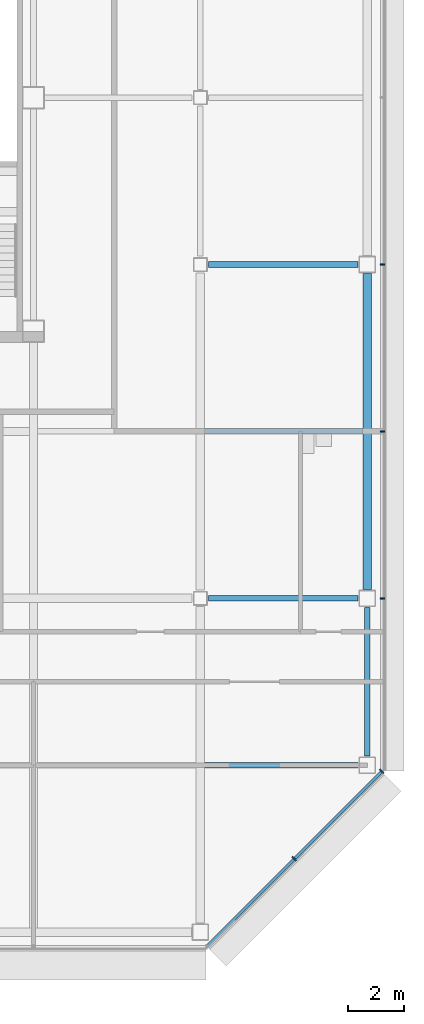
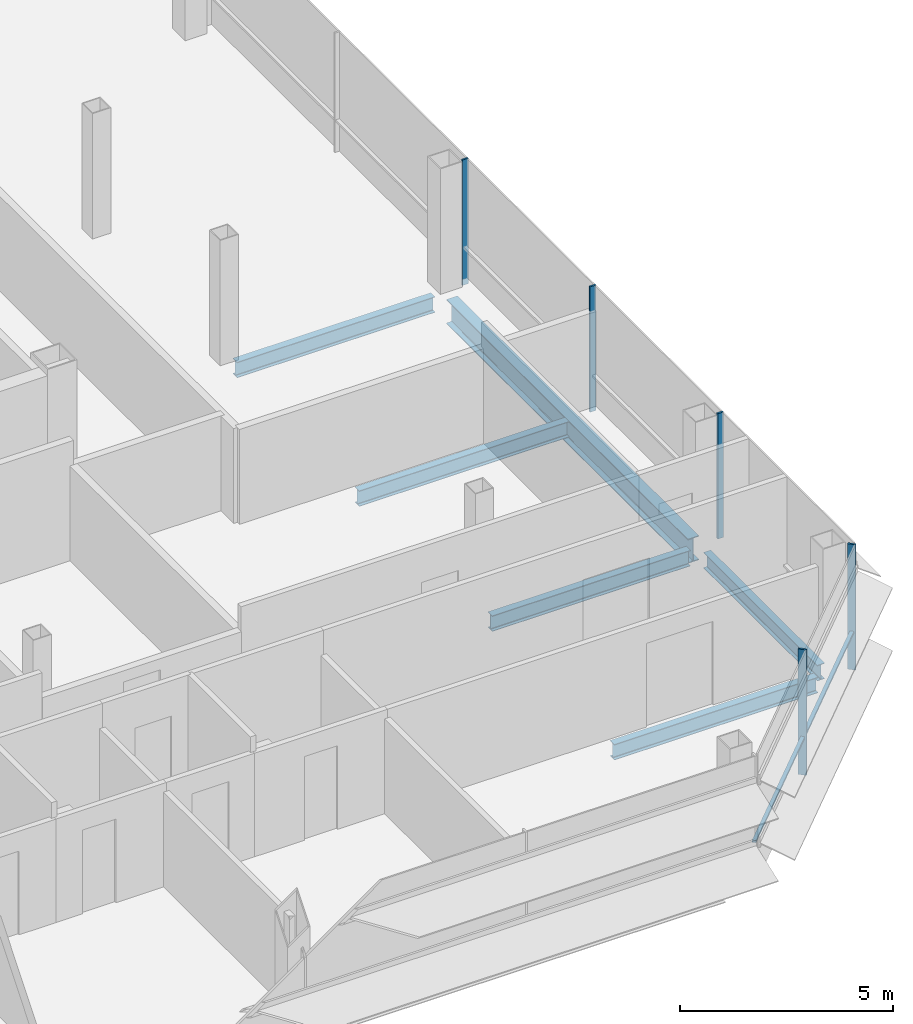
# One storey, part 17 of 27: 6 beams, 6 members, 2 elements without a shape of their own.
"""IFC4 building model written with IfcOpenShell, lengths in metres."""

from ifc_helpers import new_model, si_unit, direction, frame, origin, origin_2d, place, context, subcontext, project, spatial, rectangle, i_section, extrude, material, material_profile, profile_set, type_object, element, aggregate, save


model = new_model("IFC4")

# Units and contexts
model_context = context("Model", 3, precision=1e-05, world=origin(), true_north=direction((0.0, 1.0)))
body_context = subcontext(model_context, "Body", "Model", "MODEL_VIEW")
ifc_project = project(units=[si_unit("LENGTHUNIT", "METRE"), si_unit("AREAUNIT", "SQUARE_METRE"), si_unit("VOLUMEUNIT", "CUBIC_METRE"), si_unit("PLANEANGLEUNIT", "RADIAN"), si_unit("MASSUNIT", "GRAM", prefix="KILO")], contexts=[model_context])

# Site, building, storey
site_placement = place(None, origin())
site = spatial("IfcSite", under=ifc_project, at=site_placement, CompositionType="ELEMENT")
building_placement = place(site_placement, origin())
building = spatial("IfcBuilding", under=site, at=building_placement, Name="Sorahane Residences", CompositionType="ELEMENT")
storey_placement = place(building_placement, frame((0.0, 0.0, 246.800048828125)))
storey = spatial("IfcBuildingStorey", under=building, at=storey_placement, Name="L58", CompositionType="ELEMENT", Elevation=246.800048828125)

# Curtain wall, members
ifc_material_1 = material(Name="Dark low-e glass and black anodised aluminium", Category="aluminium")
curtain_wall_type_1 = type_object("IfcCurtainWallType", Name="Curtain wall CW-1 Typical unitised wall", PredefinedType="NOTDEFINED", material=ifc_material_1)
curtain_wall_1_placement = place(storey_placement, origin())
curtain_wall_1 = element("IfcCurtainWall", 1, at=curtain_wall_1_placement, inside=storey, type_object=curtain_wall_type_1, Name="CW-1 curtain wall L58 E1", PredefinedType="NOTDEFINED")
ifc_material_2 = material(Name="Black anodised aluminium", Category="aluminium")
ifc_material_profile_1 = material_profile(ifc_material_2, rectangle(XDim=0.159912109375, YDim=0.050048828125, at=origin_2d()), Name="Curtain wall mullion CW-1 black anodised aluminium 50x160")
ifc_profile_set_1 = profile_set([ifc_material_profile_1], Name="Black anodised aluminium")
member_type_1 = type_object("IfcMemberType", Name="Curtain wall mullion CW-1 black anodised aluminium 50x160", PredefinedType="MULLION", material=ifc_profile_set_1)
member_1_placement = place(storey_placement, frame((54.5400390625, 12.0, -0.179931640625), z_axis=(0.0, 0.0, 1.0), x_axis=(1.0, 0.0, 0.0)))
member_1 = element("IfcMember", 2, at=member_1_placement, type_object=member_type_1, Name="CW-1 mullion L58 E1.2", PredefinedType="MULLION", context=body_context, shape_type="SweptSolid", body=[
    extrude(rectangle(XDim=0.159912109375, YDim=0.050048828125, at=origin_2d()), origin(), (0.0, 0.0, 1.0), 3.599853515625),
])
member_2_placement = place(storey_placement, frame((54.5400390625, 18.0, -0.179931640625), z_axis=(0.0, 0.0, 1.0), x_axis=(1.0, 0.0, 0.0)))
member_2 = element("IfcMember", 3, at=member_2_placement, type_object=member_type_1, Name="CW-1 mullion L58 E1.3", PredefinedType="MULLION", context=body_context, shape_type="SweptSolid", body=[
    extrude(rectangle(XDim=0.159912109375, YDim=0.050048828125, at=origin_2d()), origin(), (0.0, 0.0, 1.0), 3.599853515625),
])
member_3_placement = place(storey_placement, frame((54.5400390625, 24.0, -0.179931640625), z_axis=(0.0, 0.0, 1.0), x_axis=(1.0, 0.0, 0.0)))
member_3 = element("IfcMember", 4, at=member_3_placement, type_object=member_type_1, Name="CW-1 mullion L58 E1.4", PredefinedType="MULLION", context=body_context, shape_type="SweptSolid", body=[
    extrude(rectangle(XDim=0.159912109375, YDim=0.050048828125, at=origin_2d()), origin(), (0.0, 0.0, 1.0), 3.599853515625),
])
aggregate(curtain_wall_1, [member_1, member_2, member_3])

ifc_material_3 = material(Name="Dark low-e glass and black anodised aluminium", Category="aluminium")
curtain_wall_type_2 = type_object("IfcCurtainWallType", Name="Curtain wall CW-2 Chamfer unitised wall", PredefinedType="NOTDEFINED", material=ifc_material_3)
curtain_wall_2_placement = place(storey_placement, origin())
curtain_wall_2 = element("IfcCurtainWall", 5, at=curtain_wall_2_placement, inside=storey, type_object=curtain_wall_type_2, Name="CW-2 curtain wall L58 SE1", PredefinedType="NOTDEFINED")
ifc_material_4 = material(Name="Black anodised aluminium", Category="aluminium")
ifc_material_profile_2 = material_profile(ifc_material_4, rectangle(XDim=0.199951171875, YDim=0.050048828125, at=origin_2d()), Name="Curtain wall mullion CW-2 black anodised aluminium 50x200")
ifc_profile_set_2 = profile_set([ifc_material_profile_2], Name="Black anodised aluminium")
member_type_2 = type_object("IfcMemberType", Name="Curtain wall mullion CW-2 black anodised aluminium 50x200", PredefinedType="MULLION", material=ifc_profile_set_2)
member_4_placement = place(storey_placement, frame((51.36767578125, 2.63232421875, -0.179931640625), z_axis=(0.0, 0.0, 1.0), x_axis=(0.707106781187, -0.707106781187, 0.0)))
member_4 = element("IfcMember", 6, at=member_4_placement, type_object=member_type_2, Name="CW-2 mullion L58 SE1.2", PredefinedType="MULLION", context=body_context, shape_type="SweptSolid", body=[
    extrude(rectangle(XDim=0.199951171875, YDim=0.050048828125, at=origin_2d()), origin(), (0.0, 0.0, 1.0), 3.599853515625),
])
member_5_placement = place(storey_placement, frame((54.525634765625, 5.790283203125, -0.179931640625), z_axis=(0.0, 0.0, 1.0), x_axis=(0.707106781187, -0.707106781187, 0.0)))
member_5 = element("IfcMember", 7, at=member_5_placement, type_object=member_type_2, Name="CW-2 mullion L58 SE1.3", PredefinedType="MULLION", context=body_context, shape_type="SweptSolid", body=[
    extrude(rectangle(XDim=0.199951171875, YDim=0.050048828125, at=origin_2d()), origin(), (0.0, 0.0, 1.0), 3.599853515625),
])
ifc_material_5 = material(Name="Black anodised aluminium", Category="aluminium")
ifc_material_profile_3 = material_profile(ifc_material_5, rectangle(XDim=0.10009765625, YDim=0.06005859375, at=origin_2d()), Name="Curtain wall transom CW-2 black anodised aluminium 60x100")
ifc_profile_set_3 = profile_set([ifc_material_profile_3], Name="Black anodised aluminium")
member_type_3 = type_object("IfcMemberType", Name="Curtain wall transom CW-2 black anodised aluminium 60x100", PredefinedType="USERDEFINED", material=ifc_profile_set_3)
member_6_placement = place(storey_placement, frame((48.234375, -0.51513671875, 0.89990234375), z_axis=(0.707106781187, 0.707106781187, 0.0), x_axis=(-0.707106781187, 0.707106781187, 0.0)))
member_6 = element("IfcMember", 8, at=member_6_placement, type_object=member_type_3, Name="CW-2 transom L58 SE1", ObjectType="TRANSOM", PredefinedType="USERDEFINED", context=body_context, shape_type="SweptSolid", body=[
    extrude(rectangle(XDim=0.10009765625, YDim=0.06005859375, at=origin_2d()), origin(), (0.0, 0.0, 1.0), 8.88232421875),
])
aggregate(curtain_wall_2, [member_4, member_5, member_6])

# Beams
ifc_material_6 = material(Name="Steel Q355B", Category="steel")
ifc_material_profile_4 = material_profile(ifc_material_6, i_section(OverallWidth=0.199951171875, OverallDepth=0.449951171875, WebThickness=0.009033203125, FlangeThickness=0.013916015625, FilletRadius=0.02001953125, at=origin_2d()), Name="HN 450x200x9x14")
ifc_profile_set_4 = profile_set([ifc_material_profile_4], Name="Steel Q355B")
beam_type_1 = type_object("IfcBeamType", Name="Steel floor beam HN 450x200x9x14 Q355B", PredefinedType="BEAM", material=ifc_profile_set_4)
for number, where, z_axis, x_axis, name in (
    (9, (48.300048828125, 12.0, -0.405029296875), (1.0, 0.0, 0.0), (0.0, 1.0, 0.0), "Beam L58 010"),
    (10, (48.300048828125, 24.0, -0.405029296875), (1.0, 0.0, 0.0), (0.0, 1.0, 0.0), "Beam L58 012"),
):
    element("IfcBeam", number, at=place(storey_placement, frame(where, z_axis=z_axis, x_axis=x_axis)), inside=storey, type_object=beam_type_1, Name=name, PredefinedType="BEAM", context=body_context, shape_type="SweptSolid", body=[
        extrude(i_section(OverallWidth=0.199951171875, OverallDepth=0.449951171875, WebThickness=0.009033203125, FlangeThickness=0.013916015625, FilletRadius=0.02001953125, at=origin_2d()), origin(), (0.0, 0.0, 1.0), 5.375),
    ])
beam_1_placement = place(storey_placement, frame((54.0, 6.324951171875, -0.405029296875), z_axis=(0.0, 1.0, 0.0), x_axis=(-1.0, 0.0, 0.0)))
element("IfcBeam", 11, at=beam_1_placement, inside=storey, type_object=beam_type_1, Name="Beam L58 064", PredefinedType="BEAM", context=body_context, shape_type="SweptSolid", body=[
    extrude(i_section(OverallWidth=0.199951171875, OverallDepth=0.449951171875, WebThickness=0.009033203125, FlangeThickness=0.013916015625, FilletRadius=0.02001953125, at=origin_2d()), origin(), (0.0, 0.0, 1.0), 5.35009765625),
])
beam_2_placement = place(storey_placement, frame((48.14990234375, 6.0, -0.405029296875), z_axis=(1.0, 0.0, 0.0), x_axis=(0.0, 1.0, 0.0)))
element("IfcBeam", 12, at=beam_2_placement, inside=storey, type_object=beam_type_1, Name="Beam L58 077", PredefinedType="BEAM", context=body_context, shape_type="SweptSolid", body=[
    extrude(i_section(OverallWidth=0.199951171875, OverallDepth=0.449951171875, WebThickness=0.009033203125, FlangeThickness=0.013916015625, FilletRadius=0.02001953125, at=origin_2d()), origin(), (0.0, 0.0, 1.0), 5.525146484375),
])
beam_3_placement = place(storey_placement, frame((48.14990234375, 18.0, -0.405029296875), z_axis=(1.0, 0.0, 0.0), x_axis=(0.0, 1.0, 0.0)))
element("IfcBeam", 13, at=beam_3_placement, inside=storey, type_object=beam_type_1, Name="Beam L58 084", PredefinedType="BEAM", context=body_context, shape_type="SweptSolid", body=[
    extrude(i_section(OverallWidth=0.199951171875, OverallDepth=0.449951171875, WebThickness=0.009033203125, FlangeThickness=0.013916015625, FilletRadius=0.02001953125, at=origin_2d()), origin(), (0.0, 0.0, 1.0), 5.7001953125),
])
ifc_material_7 = material(Name="Steel Q355B", Category="steel")
ifc_material_profile_5 = material_profile(ifc_material_7, i_section(OverallWidth=0.300048828125, OverallDepth=0.699951171875, WebThickness=0.012939453125, FlangeThickness=0.02392578125, FilletRadius=0.028076171875, at=origin_2d()), Name="HN 700x300x13x24")
ifc_profile_set_5 = profile_set([ifc_material_profile_5], Name="Steel Q355B")
beam_type_2 = type_object("IfcBeamType", Name="Steel floor beam HN 700x300x13x24 Q355B", PredefinedType="BEAM", material=ifc_profile_set_5)
beam_4_placement = place(storey_placement, frame((54.0, 12.324951171875, -0.530029296875), z_axis=(0.0, 1.0, 0.0), x_axis=(-1.0, 0.0, 0.0)))
element("IfcBeam", 14, at=beam_4_placement, inside=storey, type_object=beam_type_2, Name="Beam L58 065", PredefinedType="BEAM", context=body_context, shape_type="SweptSolid", body=[
    extrude(i_section(OverallWidth=0.300048828125, OverallDepth=0.699951171875, WebThickness=0.012939453125, FlangeThickness=0.02392578125, FilletRadius=0.028076171875, at=origin_2d()), origin(), (0.0, 0.0, 1.0), 11.35009765625),
])

save(model, "model.ifc")
